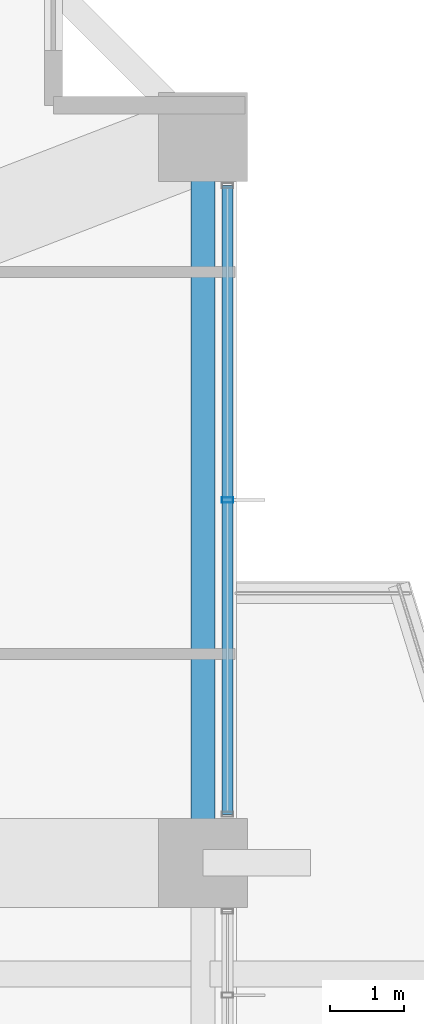
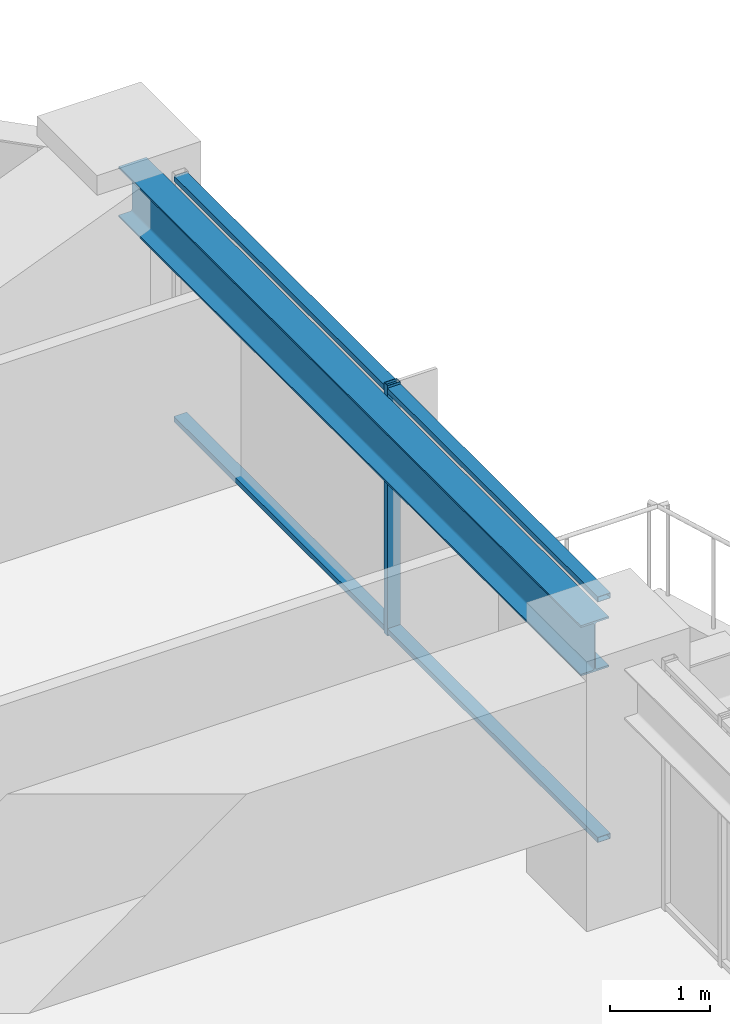
# One storey, part 18 of 39: 3 members, 1 beam, 1 element without a shape of its own.
"""IFC4 building model written with IfcOpenShell, lengths in metres."""

import ifcopenshell
import ifcopenshell.guid

model = None  # the IFC model being written
_history = None  # IfcOwnerHistory: only IFC2X3 demands one
_inside = {}  # id of a spatial element -> (the spatial element, [elements in it])
_under = {}  # id of a project, library or spatial element -> (it, [spatial elements below it])
_declared = {}  # id of a project -> (the project, [libraries it declares])
_typed = {}  # id of a type object -> (the type object, [elements of that type])
_made_of = {}  # id of a material, layer set ... -> (it, [elements and type objects made of it])


def new_model(schema):
    """Start an empty IFC model of exactly this schema.

    Asked for "IFC4X3", IfcOpenShell would pick the latest addendum, in which some entities
    have other attributes; the version numbers below select the first issue.
    IFC2X3 requires an IfcOwnerHistory on every rooted entity: one is made here for all.
    """
    global model, _history
    if schema == "IFC4X3":
        model = ifcopenshell.file(schema_version=(4, 3, 0, 0))
    else:
        model = ifcopenshell.file(schema=schema)
    _inside.clear()
    _under.clear()
    _declared.clear()
    _typed.clear()
    _made_of.clear()
    _history = None
    if model.schema == "IFC2X3":
        org = make("IfcOrganization", Name="unknown")
        user = make(
            "IfcPersonAndOrganization",
            ThePerson=make("IfcPerson", FamilyName="unknown"),
            TheOrganization=org,
        )
        app = make(
            "IfcApplication",
            ApplicationDeveloper=org,
            Version="unknown",
            ApplicationFullName="unknown",
            ApplicationIdentifier="unknown",
        )
        _history = make(
            "IfcOwnerHistory",
            OwningUser=user,
            OwningApplication=app,
            ChangeAction="ADDED",
            CreationDate=0,
        )
    return model


def make(cls, **values):
    """One entity of the class cls with the attributes given. An attribute that is None is left unset."""
    return model.create_entity(
        cls, **{name: value for name, value in values.items() if value is not None}
    )


def rooted(cls, **values):
    """An entity with a GlobalId (a new one), such as an element, a storey or a relation."""
    return make(cls, GlobalId=ifcopenshell.guid.new(), OwnerHistory=_history, **values)


def si_unit(unit_type, name, prefix=None):
    """IfcSIUnit, for example si_unit("LENGTHUNIT", "METRE", prefix="MILLI")."""
    return make("IfcSIUnit", UnitType=unit_type, Prefix=prefix, Name=name)


def assignment(units):
    """IfcUnitAssignment: the units of a project."""
    return None if units is None else make("IfcUnitAssignment", Units=units)


def point(xyz):
    """IfcCartesianPoint."""
    return None if xyz is None else make("IfcCartesianPoint", Coordinates=xyz)


def direction(xyz):
    """IfcDirection."""
    return None if xyz is None else make("IfcDirection", DirectionRatios=xyz)


def frame(location, z_axis=None, x_axis=None):
    """IfcAxis2Placement3D, a coordinate frame: its origin and axes. An axis left out is left unset."""
    return make(
        "IfcAxis2Placement3D",
        Location=point(location),
        Axis=direction(z_axis),
        RefDirection=direction(x_axis),
    )


def frame_2d(location, x_axis=None):
    """IfcAxis2Placement2D, a coordinate frame in the plane: its origin and x axis."""
    return make(
        "IfcAxis2Placement2D", Location=point(location), RefDirection=direction(x_axis)
    )


def origin():
    """The frame at (0, 0, 0) with its axes left unset."""
    return frame((0.0, 0.0, 0.0))


def origin_2d():
    """The frame at (0, 0) in the plane with its x axis left unset."""
    return frame_2d((0.0, 0.0))


def place(relative_to, where):
    """IfcLocalPlacement: puts the frame where relative to a parent placement (None: the world)."""
    return make(
        "IfcLocalPlacement", PlacementRelTo=relative_to, RelativePlacement=where
    )


def context(
    kind, dimensions, precision=None, world=None, true_north=None, identifier=None
):
    """IfcGeometricRepresentationContext, for example the 3D "Model" context."""
    return make(
        "IfcGeometricRepresentationContext",
        ContextIdentifier=identifier,
        ContextType=kind,
        CoordinateSpaceDimension=dimensions,
        Precision=precision,
        WorldCoordinateSystem=world,
        TrueNorth=true_north,
    )


def subcontext(parent, identifier, kind, view, scale=None):
    """IfcGeometricRepresentationSubContext, for example "Body" below "Model"."""
    return make(
        "IfcGeometricRepresentationSubContext",
        ContextIdentifier=identifier,
        ContextType=kind,
        ParentContext=parent,
        TargetScale=scale,
        TargetView=view,
    )


def project(units=None, contexts=None):
    """IfcProject with its units and contexts."""
    return rooted(
        "IfcProject",
        Name="project",
        RepresentationContexts=contexts,
        UnitsInContext=assignment(units),
    )


def spatial(cls, under=None, at=None, **own):
    """A site, building, storey or space (cls), placed at a placement, below another one or the project."""
    s = rooted(cls, ObjectPlacement=at, **own)
    if under is not None:
        _under.setdefault(under.id(), (under, []))[1].append(s)
    return s


def profile(cls, at=None, kind="AREA", **sizes):
    """A parametric profile (cls). Its sizes go by their IFC names, for example OverallWidth=200.0."""
    return make(cls, ProfileType=kind, Position=at, **sizes)


def hollow_rectangle(**sizes):
    """IfcRectangleHollowProfileDef."""
    return profile("IfcRectangleHollowProfileDef", **sizes)


def i_section(**sizes):
    """IfcIShapeProfileDef."""
    return profile("IfcIShapeProfileDef", **sizes)


def extrude(swept, where, along, depth):
    """IfcExtrudedAreaSolid: the profile swept, set in the frame where, extruded along a direction by depth."""
    return make(
        "IfcExtrudedAreaSolid",
        SweptArea=swept,
        Position=where,
        ExtrudedDirection=direction(along),
        Depth=depth,
    )


def shape(context_of_items, identifier, shape_type, items):
    """IfcShapeRepresentation: the items that make up one representation, for example the "Body"."""
    return make(
        "IfcShapeRepresentation",
        ContextOfItems=context_of_items,
        RepresentationIdentifier=identifier,
        RepresentationType=shape_type,
        Items=items,
    )


def material(Name=None, Category=None):
    """IfcMaterial."""
    return make("IfcMaterial", Name=Name, Category=Category)


def material_profile(
    of_material, cross_section, Name=None, Category=None, Priority=None
):
    """IfcMaterialProfile: a cross section and its material."""
    return make(
        "IfcMaterialProfile",
        Name=Name,
        Material=of_material,
        Profile=cross_section,
        Priority=Priority,
        Category=Category,
    )


def profile_set(profiles, Name=None, composite=None):
    """IfcMaterialProfileSet."""
    return make(
        "IfcMaterialProfileSet",
        Name=Name,
        MaterialProfiles=profiles,
        CompositeProfile=composite,
    )


def made_of(thing, what):
    """Note that an element or type object is made of a material, layer set ...; save() writes the relation."""
    if what is not None:
        _made_of.setdefault(what.id(), (what, []))[1].append(thing)
    return thing


def type_object(cls, material=None, **own):
    """A type object (cls), such as IfcWallType, which elements share."""
    return made_of(rooted(cls, **own), material)


def element(
    cls,
    number,
    at=None,
    inside=None,
    cuts=None,
    type_object=None,
    material=None,
    context=None,
    identifier="Body",
    shape_type=None,
    held_by="IfcProductDefinitionShape",
    body=None,
    shapes=None,
    **own,
):
    """One element of the class cls, such as IfcWall. Its Tag is "e" and its number.

    at: its placement. inside: the storey or other place that contains it. cuts: it is an
    opening in that element (IfcRelVoidsElement). A single representation is given by context,
    identifier, shape_type and body (its items); several are given by shapes. held_by: the class
    of the entity that holds the representations. save() writes the other relations.
    """
    e = rooted(cls, Tag="e%d" % number, ObjectPlacement=at, **own)
    if body is not None:
        shapes = [shape(context, identifier, shape_type, body)]
    if shapes is not None:
        e.Representation = make(held_by, Representations=shapes)
    if inside is not None:
        _inside.setdefault(inside.id(), (inside, []))[1].append(e)
    if cuts is not None:
        rooted(
            "IfcRelVoidsElement", RelatingBuildingElement=cuts, RelatedOpeningElement=e
        )
    if type_object is not None:
        _typed.setdefault(type_object.id(), (type_object, []))[1].append(e)
    return made_of(e, material)


def aggregate(whole, parts):
    """IfcRelAggregates: a whole, such as a stair, and the parts it consists of."""
    return rooted("IfcRelAggregates", RelatingObject=whole, RelatedObjects=parts)


def save(model, path):
    """Write the relations noted so far, then the file.

    IfcRelAggregates (storeys below a building ...), IfcRelContainedInSpatialStructure (elements
    in a storey), IfcRelDefinesByType, IfcRelAssociatesMaterial and IfcRelDeclares: one each for
    every whole, place, type object, material and project.
    """
    for whole, parts in _under.values():
        aggregate(whole, parts)
    for where, things in _inside.values():
        rooted(
            "IfcRelContainedInSpatialStructure",
            RelatedElements=things,
            RelatingStructure=where,
        )
    for kind, things in _typed.values():
        rooted("IfcRelDefinesByType", RelatedObjects=things, RelatingType=kind)
    for what, things in _made_of.values():
        rooted("IfcRelAssociatesMaterial", RelatedObjects=things, RelatingMaterial=what)
    for by, libraries in _declared.values():
        rooted("IfcRelDeclares", RelatingContext=by, RelatedDefinitions=libraries)
    model.write(path)


model = new_model("IFC4")

# Units and contexts
model_context = context("Model", 3, precision=1e-05, world=origin(), true_north=direction((0.0, 1.0)))
body_context = subcontext(model_context, "Body", "Model", "MODEL_VIEW")
ifc_project = project(units=[si_unit("LENGTHUNIT", "METRE"), si_unit("AREAUNIT", "SQUARE_METRE"), si_unit("VOLUMEUNIT", "CUBIC_METRE"), si_unit("PLANEANGLEUNIT", "RADIAN"), si_unit("MASSUNIT", "GRAM", prefix="KILO")], contexts=[model_context])

# Site, building, storey
site_placement = place(None, origin())
site = spatial("IfcSite", under=ifc_project, at=site_placement, CompositionType="ELEMENT")
building_placement = place(site_placement, origin())
building = spatial("IfcBuilding", under=site, at=building_placement, Name="Kolvaren Belvedere", CompositionType="ELEMENT")
storey_placement = place(building_placement, frame((0.0, 0.0, 40.300048828125)))
storey = spatial("IfcBuildingStorey", under=building, at=storey_placement, Name="L11", CompositionType="ELEMENT", Elevation=40.300048828125)

# Beam
ifc_material_1 = material(Name="Structural steel ASTM A992 Grade 50", Category="steel")
ifc_material_profile_1 = material_profile(ifc_material_1, i_section(OverallWidth=0.324951171875, OverallDepth=0.615966796875, WebThickness=0.013916015625, FlangeThickness=0.021484375, FilletRadius=0.02001953125, at=origin_2d()), Name="W24X117")
ifc_profile_set_1 = profile_set([ifc_material_profile_1], Name="Structural steel ASTM A992 Grade 50")
beam_type = type_object("IfcBeamType", Name="BM-SPAN-W24X117", PredefinedType="SPANDREL", material=ifc_profile_set_1)
beam_placement = place(storey_placement, frame((21.550048828125, 4.8701171875, 2.751953125), z_axis=(0.0, 1.0, 0.0), x_axis=(-1.0, 0.0, 0.0)))
element("IfcBeam", 1, at=beam_placement, inside=storey, type_object=beam_type, Name="L11 Perimeter Spandrel E3-E4", PredefinedType="SPANDREL", context=body_context, shape_type="SweptSolid", body=[
    extrude(i_section(OverallWidth=0.324951171875, OverallDepth=0.615966796875, WebThickness=0.013916015625, FlangeThickness=0.021484375, FilletRadius=0.02001953125, at=origin_2d()), origin(), (0.0, 0.0, 1.0), 9.259765625),
])

# Curtain wall, members
ifc_material_2 = material(Name="Anodised pale-metal aluminium AA 6063-T6", Category="aluminium")
curtain_wall_type = type_object("IfcCurtainWallType", Name="CW-Z1-LOW", PredefinedType="NOTDEFINED", material=ifc_material_2)
curtain_wall_placement = place(storey_placement, origin())
curtain_wall = element("IfcCurtainWall", 2, at=curtain_wall_placement, inside=storey, type_object=curtain_wall_type, Name="L11 Unitised Curtain Wall FCW-L11-E1-B1", PredefinedType="NOTDEFINED")
ifc_material_3 = material(Name="Anodised pale-metal aluminium AA 6063-T6", Category="aluminium")
ifc_material_profile_2 = material_profile(ifc_material_3, hollow_rectangle(XDim=0.070068359375, YDim=0.14990234375, WallThickness=0.004150390625, at=origin_2d()), Name="ALU-MUL-150X70")
ifc_profile_set_2 = profile_set([ifc_material_profile_2], Name="Anodised pale-metal aluminium AA 6063-T6")
member_type_1 = type_object("IfcMemberType", Name="CW-MUL-150", PredefinedType="MULLION", material=ifc_profile_set_2)
member_1_placement = place(storey_placement, frame((21.8798828125, 9.5, 0.0), z_axis=(0.0, 0.0, 1.0), x_axis=(0.0, 1.0, 0.0)))
member_1 = element("IfcMember", 3, at=member_1_placement, type_object=member_type_1, Name="FCW-L11-E1-B1 Unitised Mullion 2", PredefinedType="MULLION", context=body_context, shape_type="SweptSolid", body=[
    extrude(hollow_rectangle(XDim=0.070068359375, YDim=0.14990234375, WallThickness=0.004150390625, at=origin_2d()), origin(), (0.0, 0.0, 1.0), 3.06005859375),
])
ifc_material_4 = material(Name="Anodised pale-metal aluminium AA 6063-T6", Category="aluminium")
ifc_material_profile_3 = material_profile(ifc_material_4, hollow_rectangle(XDim=0.06494140625, YDim=0.14990234375, WallThickness=0.00390625, at=origin_2d()), Name="ALU-TRN-150X65")
ifc_profile_set_3 = profile_set([ifc_material_profile_3], Name="Anodised pale-metal aluminium AA 6063-T6")
member_type_2 = type_object("IfcMemberType", Name="CW-TRN-150", PredefinedType="USERDEFINED", material=ifc_profile_set_3)
member_2_placement = place(storey_placement, frame((21.8798828125, 13.7451171875, 0.06005859375), z_axis=(0.0, -1.0, 0.0), x_axis=(0.0, 0.0, 1.0)))
member_2 = element("IfcMember", 4, at=member_2_placement, type_object=member_type_2, Name="FCW-L11-E1-B1 Sill Transom", ObjectType="TRANSOM", PredefinedType="USERDEFINED", context=body_context, shape_type="SweptSolid", body=[
    extrude(hollow_rectangle(XDim=0.06494140625, YDim=0.14990234375, WallThickness=0.00390625, at=origin_2d()), origin(), (0.0, 0.0, 1.0), 8.490234375),
])
member_3_placement = place(storey_placement, frame((21.8798828125, 13.7451171875, 3.0), z_axis=(0.0, -1.0, 0.0), x_axis=(0.0, 0.0, 1.0)))
member_3 = element("IfcMember", 5, at=member_3_placement, type_object=member_type_2, Name="FCW-L11-E1-B1 Head Transom", ObjectType="TRANSOM", PredefinedType="USERDEFINED", context=body_context, shape_type="SweptSolid", body=[
    extrude(hollow_rectangle(XDim=0.06494140625, YDim=0.14990234375, WallThickness=0.00390625, at=origin_2d()), origin(), (0.0, 0.0, 1.0), 8.490234375),
])
aggregate(curtain_wall, [member_1, member_2, member_3])

save(model, "model.ifc")
